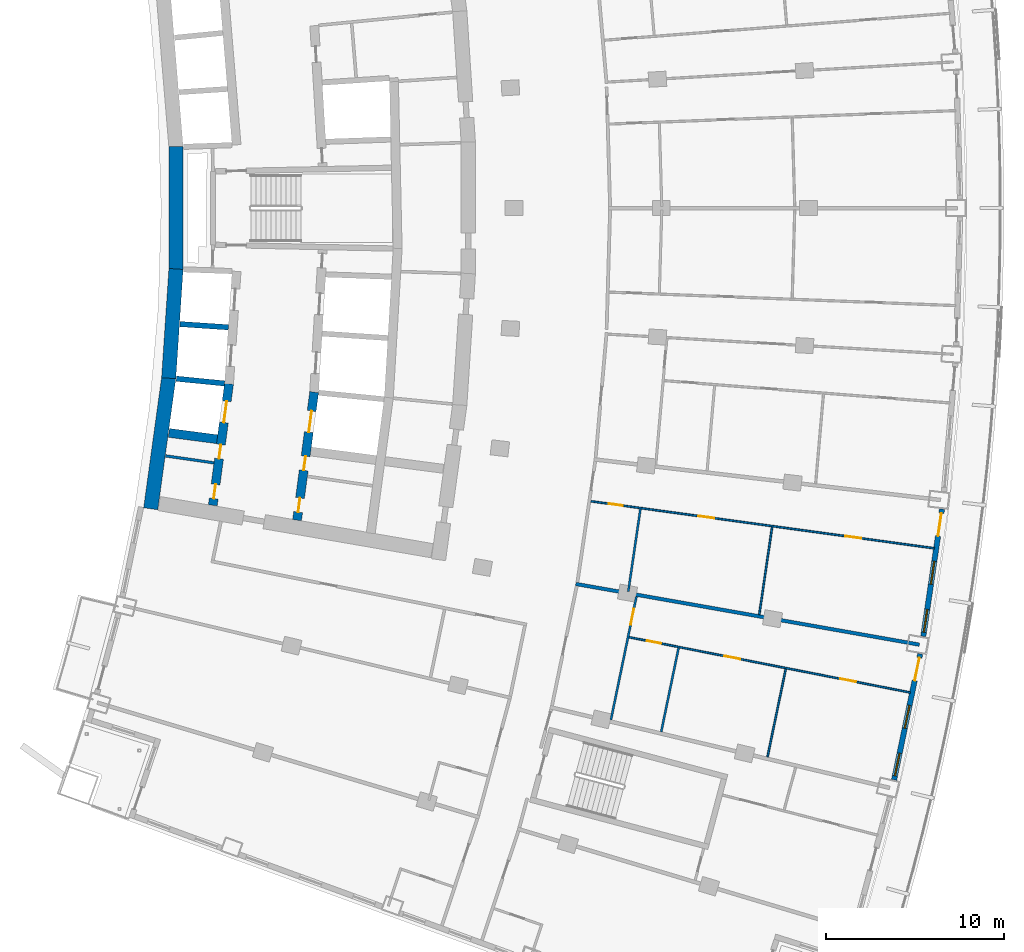
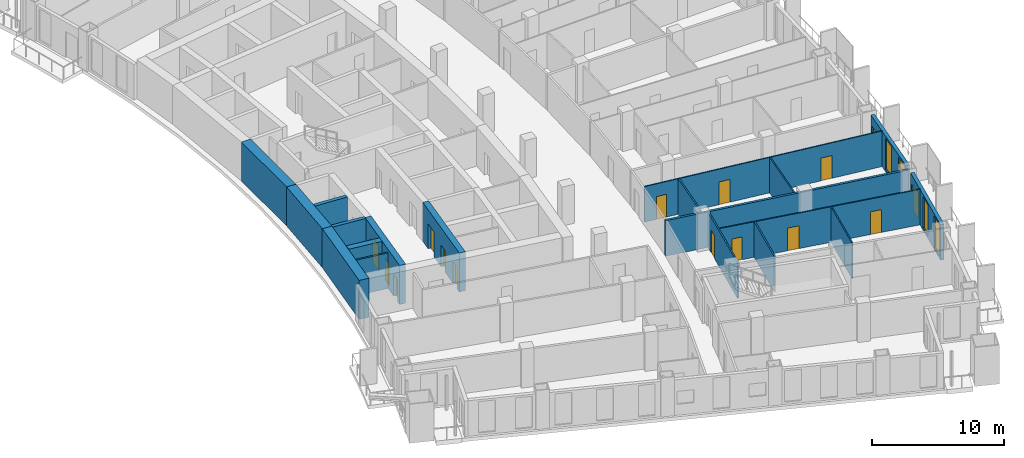
# One storey, part 15 of 25: 19 walls, 15 doors, 4 windows, 19 openings.
"""IFC4 building model written with IfcOpenShell, lengths in metres."""

from ifc_helpers import new_model, si_unit, direction, frame, frame_2d, origin, place, context, subcontext, project, spatial, rectangle, extrude, material, layer, layer_set, type_object, element, fill, save


model = new_model("IFC4")

# Units and contexts
model_context = context("Model", 3, precision=1e-05, world=origin(), true_north=direction((0.0, 1.0)))
body_context = subcontext(model_context, "Body", "Model", "MODEL_VIEW")
ifc_project = project(units=[si_unit("LENGTHUNIT", "METRE"), si_unit("AREAUNIT", "SQUARE_METRE"), si_unit("VOLUMEUNIT", "CUBIC_METRE"), si_unit("PLANEANGLEUNIT", "RADIAN"), si_unit("MASSUNIT", "GRAM", prefix="KILO")], contexts=[model_context])

# Site, building, storey
site_placement = place(None, origin())
site = spatial("IfcSite", under=ifc_project, at=site_placement, CompositionType="ELEMENT")
building_placement = place(site_placement, origin())
building = spatial("IfcBuilding", under=site, at=building_placement, Name="Alderwake Tower", CompositionType="ELEMENT")
storey_placement = place(building_placement, frame((0.0, 0.0, 118.39990234375)))
storey = spatial("IfcBuildingStorey", under=building, at=storey_placement, Name="L29", CompositionType="ELEMENT", Elevation=118.39990234375)

# Walls
ifc_material_1 = material(Name="Gypsum shaft wall system, rated")
ifc_layer_1 = layer(ifc_material_1, 0.14990234375)
ifc_layer_set_1 = layer_set([ifc_layer_1], Name="Core room partition 150")
wall_type_1 = type_object("IfcWallType", Name="Core room partition 150", PredefinedType="PARTITIONING", material=ifc_layer_set_1)
wall_1_placement = place(storey_placement, frame((16.262451171875, 47.096435546875, 0.0), z_axis=(0.0, 0.0, 1.0), x_axis=(0.989725129284, -0.14298310552, 0.0)))
element("IfcWall", 1, at=wall_1_placement, inside=storey, type_object=wall_type_1, Name="CW/L29/PR-150_+0", PredefinedType="PARTITIONING", context=body_context, shape_type="SweptSolid", body=[
    extrude(rectangle(XDim=2.7353515625, YDim=0.14990234375, at=frame_2d((1.36767578125, 0.0))), origin(), (0.0, 0.0, 1.0), 3.280029296875),
])
ifc_material_2 = material(Name="Concrete C70/85", Category="concrete")
ifc_layer_2 = layer(ifc_material_2, 0.800048828125)
ifc_layer_set_2 = layer_set([ifc_layer_2], Name="Core wall outer 800 C70-85")
wall_type_2 = type_object("IfcWallType", Name="Core wall outer 800 C70-85", PredefinedType="SHEAR", material=ifc_layer_set_2)
wall_2_placement = place(storey_placement, frame((15.419921875, 44.12890625, 0.0), z_axis=(0.0, 0.0, 1.0), x_axis=(0.13634256868, 0.990661750531, 0.0)))
element("IfcWall", 2, at=wall_2_placement, inside=storey, type_object=wall_type_2, Name="Core wall CW.042", PredefinedType="SHEAR", context=body_context, shape_type="SweptSolid", body=[
    extrude(rectangle(XDim=7.42578125, YDim=0.800048828125, at=frame_2d((3.712890625, 0.0))), origin(), (0.0, 0.0, 1.0), 3.60009765625),
])
wall_3_placement = place(storey_placement, frame((16.429443359375, 51.45654296875, 0.0), z_axis=(0.0, 0.0, 1.0), x_axis=(0.066885651624, 0.997760647454, 0.0)))
element("IfcWall", 3, at=wall_3_placement, inside=storey, type_object=wall_type_2, Name="Core wall CW.041", PredefinedType="SHEAR", context=body_context, shape_type="SweptSolid", body=[
    extrude(rectangle(XDim=6.14306640625, YDim=0.800048828125, at=frame_2d((3.071533203125, 0.0))), origin(), (0.0, 0.0, 1.0), 3.60009765625),
])
wall_4_placement = place(storey_placement, frame((16.83935546875, 57.558349609375, 0.0), z_axis=(0.0, 0.0, 1.0), x_axis=(0.0, 1.0, 0.0)))
element("IfcWall", 4, at=wall_4_placement, inside=storey, type_object=wall_type_2, Name="Core wall CW.043", PredefinedType="SHEAR", context=body_context, shape_type="SweptSolid", body=[
    extrude(rectangle(XDim=6.886474609375, YDim=0.800048828125, at=frame_2d((3.443359375, 0.0))), origin(), (0.0, 0.0, 1.0), 3.60009765625),
])
ifc_material_3 = material(Name="Concrete C70/85", Category="concrete")
ifc_layer_3 = layer(ifc_material_3, 0.300048828125)
ifc_layer_set_3 = layer_set([ifc_layer_3], Name="Core wall shaft 300 C70-85")
wall_type_3 = type_object("IfcWallType", Name="Core wall shaft 300 C70-85", PredefinedType="SHEAR", material=ifc_layer_set_3)
wall_5_placement = place(storey_placement, frame((16.8583984375, 51.4287109375, 0.0), z_axis=(0.0, 0.0, 1.0), x_axis=(0.995157330456, -0.098294901394, 0.0)))
element("IfcWall", 5, at=wall_5_placement, inside=storey, type_object=wall_type_3, Name="Core wall CW.065", PredefinedType="SHEAR", context=body_context, shape_type="SweptSolid", body=[
    extrude(rectangle(XDim=2.7197265625, YDim=0.300048828125, at=frame_2d((1.35986328125, 0.0))), origin(), (0.0, 0.0, 1.0), 3.60009765625),
])
wall_6_placement = place(storey_placement, frame((17.06396484375, 54.492919921875, 0.0), z_axis=(0.0, 0.0, 1.0), x_axis=(0.997758851023, -0.066912444326, 0.0)))
element("IfcWall", 6, at=wall_6_placement, inside=storey, type_object=wall_type_3, Name="Core wall CW.079", PredefinedType="SHEAR", context=body_context, shape_type="SweptSolid", body=[
    extrude(rectangle(XDim=2.71826171875, YDim=0.300048828125, at=frame_2d((1.359130859375, 0.0))), origin(), (0.0, 0.0, 1.0), 3.60009765625),
])

# Wall, openings, doors
ifc_material_4 = material(Name="Concrete C70/85", Category="concrete")
ifc_layer_4 = layer(ifc_material_4, 0.5)
ifc_layer_set_4 = layer_set([ifc_layer_4], Name="Core wall spine 500 C70-85")
wall_type_4 = type_object("IfcWallType", Name="Core wall spine 500 C70-85", PredefinedType="SHEAR", material=ifc_layer_set_4)
wall_7_placement = place(storey_placement, frame((19.81494140625, 51.145263671875, 0.0), z_axis=(0.0, 0.0, 1.0), x_axis=(-0.132349652161, -0.991203091991, 0.0)))
wall_7 = element("IfcWall", 7, at=wall_7_placement, inside=storey, type_object=wall_type_4, Name="Core wall CW.033", PredefinedType="SHEAR", context=body_context, shape_type="SweptSolid", body=[
    extrude(rectangle(XDim=6.880615234375, YDim=0.5, at=frame_2d((3.4404296875, 0.0))), origin(), (0.0, 0.0, 1.0), 3.60009765625),
])
opening_1_placement = place(wall_7_placement, frame((0.99072265625, 0.0, 0.0)))
opening_1 = element("IfcOpeningElement", 8, at=opening_1_placement, cuts=wall_7, Name="Opening LD-LP1", PredefinedType="OPENING", context=body_context, shape_type="SweptSolid", body=[
    extrude(rectangle(XDim=1.199951171875, YDim=2.300048828125, at=frame_2d((0.60009765625, 1.14990234375))), frame((0.0, 0.260009765625, 0.0), z_axis=(0.0, -1.0, 0.0), x_axis=(1.0, 0.0, 0.0)), (0.0, 0.0, 1.0), 0.52001953125),
])
opening_2_placement = place(wall_7_placement, frame((5.698486328125, 0.0, 0.0)))
opening_2 = element("IfcOpeningElement", 9, at=opening_2_placement, cuts=wall_7, Name="Opening C008", PredefinedType="OPENING", context=body_context, shape_type="SweptSolid", body=[
    extrude(rectangle(XDim=0.800048828125, YDim=2.0, at=frame_2d((0.39990234375, 1.0))), frame((0.0, 0.260009765625, 0.0), z_axis=(0.0, -1.0, 0.0), x_axis=(1.0, 0.0, 0.0)), (0.0, 0.0, 1.0), 0.52001953125),
])
opening_3_placement = place(wall_7_placement, frame((3.444580078125, 0.0, 0.0)))
opening_3 = element("IfcOpeningElement", 10, at=opening_3_placement, cuts=wall_7, Name="Opening C012", PredefinedType="OPENING", context=body_context, shape_type="SweptSolid", body=[
    extrude(rectangle(XDim=0.800048828125, YDim=2.0, at=frame_2d((0.39990234375, 1.0))), frame((0.0, 0.260009765625, 0.0), z_axis=(0.0, -1.0, 0.0), x_axis=(1.0, 0.0, 0.0)), (0.0, 0.0, 1.0), 0.52001953125),
])
ifc_material_5 = material(Name="Stainless steel sliding leaf", Category="steel")
door_type_1 = type_object("IfcDoorType", Name="Lift landing door 1200", OperationType="SLIDING_TO_LEFT", PredefinedType="DOOR", material=ifc_material_5)
door_1_placement = place(opening_1_placement, origin())
door_1 = element("IfcDoor", 11, at=door_1_placement, inside=storey, type_object=door_type_1, Name="Lift landing door LP1", OperationType="SLIDING_TO_LEFT", OverallHeight=2.300048828125, OverallWidth=1.199951171875, PredefinedType="DOOR", context=body_context, shape_type="SweptSolid", body=[
    extrude(rectangle(XDim=1.199951171875, YDim=2.300048828125, at=frame_2d((0.60009765625, 1.14990234375))), frame((0.0, 0.02490234375, 0.0), z_axis=(0.0, -1.0, 0.0), x_axis=(1.0, 0.0, 0.0)), (0.0, 0.0, 1.0), 0.050048828125),
])
fill(opening_1, door_1)
ifc_material_6 = material(Name="Painted steel leaf, rated", Category="steel")
door_type_2 = type_object("IfcDoorType", Name="Riser access door 800", OperationType="SINGLE_SWING_LEFT", PredefinedType="DOOR", material=ifc_material_6)
door_2_placement = place(opening_2_placement, origin())
door_2 = element("IfcDoor", 12, at=door_2_placement, inside=storey, type_object=door_type_2, Name="Riser access door", OperationType="SINGLE_SWING_LEFT", OverallHeight=2.0, OverallWidth=0.800048828125, PredefinedType="DOOR", context=body_context, shape_type="SweptSolid", body=[
    extrude(rectangle(XDim=0.800048828125, YDim=2.0, at=frame_2d((0.39990234375, 1.0))), frame((0.0, 0.02490234375, 0.0), z_axis=(0.0, -1.0, 0.0), x_axis=(1.0, 0.0, 0.0)), (0.0, 0.0, 1.0), 0.050048828125),
])
fill(opening_2, door_2)
door_3_placement = place(opening_3_placement, origin())
door_3 = element("IfcDoor", 13, at=door_3_placement, inside=storey, type_object=door_type_2, Name="Riser access door", OperationType="SINGLE_SWING_RIGHT", OverallHeight=2.0, OverallWidth=0.800048828125, PredefinedType="DOOR", context=body_context, shape_type="SweptSolid", body=[
    extrude(rectangle(XDim=0.800048828125, YDim=2.0, at=frame_2d((0.39990234375, 1.0))), frame((0.0, 0.02490234375, 0.0), z_axis=(0.0, -1.0, 0.0), x_axis=(1.0, 0.0, 0.0)), (0.0, 0.0, 1.0), 0.050048828125),
])
fill(opening_3, door_3)

wall_8_placement = place(storey_placement, frame((23.631103515625, 43.489501953125, 0.0), z_axis=(0.0, 0.0, 1.0), x_axis=(0.132532135635, 0.991178708924, 0.0)))
wall_8 = element("IfcWall", 14, at=wall_8_placement, inside=storey, type_object=wall_type_4, Name="Core wall CW.047", PredefinedType="SHEAR", context=body_context, shape_type="SweptSolid", body=[
    extrude(rectangle(XDim=7.248779296875, YDim=0.5, at=frame_2d((3.62451171875, 0.0))), origin(), (0.0, 0.0, 1.0), 3.60009765625),
])
opening_4_placement = place(wall_8_placement, frame((4.981201171875, 0.0, 0.0)))
opening_4 = element("IfcOpeningElement", 15, at=opening_4_placement, cuts=wall_8, Name="Opening LD-LP4", PredefinedType="OPENING", context=body_context, shape_type="SweptSolid", body=[
    extrude(rectangle(XDim=1.199951171875, YDim=2.300048828125, at=frame_2d((0.60009765625, 1.14990234375))), frame((0.0, 0.260009765625, 0.0), z_axis=(0.0, -1.0, 0.0), x_axis=(1.0, 0.0, 0.0)), (0.0, 0.0, 1.0), 0.52001953125),
])
opening_5_placement = place(wall_8_placement, frame((0.4580078125, 0.0, 0.0)))
opening_5 = element("IfcOpeningElement", 16, at=opening_5_placement, cuts=wall_8, Name="Opening C015", PredefinedType="OPENING", context=body_context, shape_type="SweptSolid", body=[
    extrude(rectangle(XDim=0.800048828125, YDim=2.0, at=frame_2d((0.39990234375, 1.0))), frame((0.0, 0.260009765625, 0.0), z_axis=(0.0, -1.0, 0.0), x_axis=(1.0, 0.0, 0.0)), (0.0, 0.0, 1.0), 0.52001953125),
])
opening_6_placement = place(wall_8_placement, frame((2.819580078125, 0.0, 0.0)))
opening_6 = element("IfcOpeningElement", 17, at=opening_6_placement, cuts=wall_8, Name="Opening C019", PredefinedType="OPENING", context=body_context, shape_type="SweptSolid", body=[
    extrude(rectangle(XDim=0.800048828125, YDim=2.0, at=frame_2d((0.39990234375, 1.0))), frame((0.0, 0.260009765625, 0.0), z_axis=(0.0, -1.0, 0.0), x_axis=(1.0, 0.0, 0.0)), (0.0, 0.0, 1.0), 0.52001953125),
])
door_4_placement = place(opening_4_placement, origin())
door_4 = element("IfcDoor", 18, at=door_4_placement, inside=storey, type_object=door_type_1, Name="Lift landing door LP4", OperationType="SLIDING_TO_LEFT", OverallHeight=2.300048828125, OverallWidth=1.199951171875, PredefinedType="DOOR", context=body_context, shape_type="SweptSolid", body=[
    extrude(rectangle(XDim=1.199951171875, YDim=2.300048828125, at=frame_2d((0.60009765625, 1.14990234375))), frame((0.0, 0.02490234375, 0.0), z_axis=(0.0, -1.0, 0.0), x_axis=(1.0, 0.0, 0.0)), (0.0, 0.0, 1.0), 0.050048828125),
])
fill(opening_4, door_4)
door_5_placement = place(opening_5_placement, origin())
door_5 = element("IfcDoor", 19, at=door_5_placement, inside=storey, type_object=door_type_2, Name="Riser access door", OperationType="SINGLE_SWING_LEFT", OverallHeight=2.0, OverallWidth=0.800048828125, PredefinedType="DOOR", context=body_context, shape_type="SweptSolid", body=[
    extrude(rectangle(XDim=0.800048828125, YDim=2.0, at=frame_2d((0.39990234375, 1.0))), frame((0.0, 0.02490234375, 0.0), z_axis=(0.0, -1.0, 0.0), x_axis=(1.0, 0.0, 0.0)), (0.0, 0.0, 1.0), 0.050048828125),
])
fill(opening_5, door_5)
door_6_placement = place(opening_6_placement, origin())
door_6 = element("IfcDoor", 20, at=door_6_placement, inside=storey, type_object=door_type_2, Name="Riser access door", OperationType="SINGLE_SWING_RIGHT", OverallHeight=2.0, OverallWidth=0.800048828125, PredefinedType="DOOR", context=body_context, shape_type="SweptSolid", body=[
    extrude(rectangle(XDim=0.800048828125, YDim=2.0, at=frame_2d((0.39990234375, 1.0))), frame((0.0, 0.02490234375, 0.0), z_axis=(0.0, -1.0, 0.0), x_axis=(1.0, 0.0, 0.0)), (0.0, 0.0, 1.0), 0.050048828125),
])
fill(opening_6, door_6)

# Wall
wall_9_placement = place(storey_placement, frame((16.43994140625, 48.38623046875, 0.0), z_axis=(0.0, 0.0, 1.0), x_axis=(0.991557472006, -0.129667959452, 0.0)))
element("IfcWall", 21, at=wall_9_placement, inside=storey, type_object=wall_type_4, Name="Core wall CW.067", PredefinedType="SHEAR", context=body_context, shape_type="SweptSolid", body=[
    extrude(rectangle(XDim=2.72998046875, YDim=0.5, at=frame_2d((1.364990234375, 0.0))), origin(), (0.0, 0.0, 1.0), 3.60009765625),
])

# Wall, openings, door, windows
ifc_material_7 = material(Name="Precast concrete C50/60 spandrel panel", Category="concrete")
ifc_layer_5 = layer(ifc_material_7, 0.300048828125)
ifc_layer_set_5 = layer_set([ifc_layer_5], Name="External wall EW1 Precast concrete C50/60 spandrel")
wall_type_5 = type_object("IfcWallType", Name="External wall EW1 Precast concrete C50/60 spandrel", PredefinedType="SOLIDWALL", material=ifc_layer_set_5)
wall_10_placement = place(storey_placement, frame((57.13427734375, 28.9208984375, 0.0), z_axis=(0.0, 0.0, 1.0), x_axis=(0.202759964429, 0.979228470187, 0.0)))
wall_10 = element("IfcWall", 22, at=wall_10_placement, inside=storey, type_object=wall_type_5, Name="External wall 13", PredefinedType="SOLIDWALL", context=body_context, shape_type="SweptSolid", body=[
    extrude(rectangle(XDim=7.21728515625, YDim=0.300048828125, at=frame_2d((3.608642578125, 0.0))), origin(), (0.0, 0.0, 1.0), 3.280029296875),
])
opening_7_placement = place(wall_10_placement, frame((0.22509765625, 0.0, 0.199951171875)))
opening_7 = element("IfcOpeningElement", 23, at=opening_7_placement, cuts=wall_10, Name="Opening W1", PredefinedType="OPENING", context=body_context, shape_type="SweptSolid", body=[
    extrude(rectangle(XDim=1.300048828125, YDim=2.89990234375, at=frame_2d((0.64990234375, 1.449951171875))), frame((0.0, 0.159912109375, 0.0), z_axis=(0.0, -1.0, 0.0), x_axis=(1.0, 0.0, 0.0)), (0.0, 0.0, 1.0), 0.320068359375),
])
opening_8_placement = place(wall_10_placement, frame((2.958740234375, 0.0, 0.199951171875)))
opening_8 = element("IfcOpeningElement", 24, at=opening_8_placement, cuts=wall_10, Name="Opening W1", PredefinedType="OPENING", context=body_context, shape_type="SweptSolid", body=[
    extrude(rectangle(XDim=1.300048828125, YDim=2.89990234375, at=frame_2d((0.64990234375, 1.449951171875))), frame((0.0, 0.159912109375, 0.0), z_axis=(0.0, -1.0, 0.0), x_axis=(1.0, 0.0, 0.0)), (0.0, 0.0, 1.0), 0.320068359375),
])
opening_9_placement = place(wall_10_placement, frame((5.692138671875, 0.0, 0.0)))
opening_9 = element("IfcOpeningElement", 25, at=opening_9_placement, cuts=wall_10, Name="Opening D04", PredefinedType="OPENING", context=body_context, shape_type="SweptSolid", body=[
    extrude(rectangle(XDim=1.300048828125, YDim=2.39990234375, at=frame_2d((0.64990234375, 1.199951171875))), frame((0.0, 0.159912109375, 0.0), z_axis=(0.0, -1.0, 0.0), x_axis=(1.0, 0.0, 0.0)), (0.0, 0.0, 1.0), 0.320068359375),
])
ifc_material_8 = material(Name="Bronze tinted glass in aluminium frame", Category="aluminium")
door_type_3 = type_object("IfcDoorType", Name="Balcony door BD sliding", OperationType="SLIDING_TO_LEFT", PredefinedType="DOOR", material=ifc_material_8)
door_7_placement = place(opening_9_placement, origin())
door_7 = element("IfcDoor", 26, at=door_7_placement, inside=storey, type_object=door_type_3, Name="Door D04", OperationType="SLIDING_TO_LEFT", OverallHeight=2.39990234375, OverallWidth=1.300048828125, PredefinedType="DOOR", context=body_context, shape_type="SweptSolid", body=[
    extrude(rectangle(XDim=1.300048828125, YDim=2.39990234375, at=frame_2d((0.64990234375, 1.199951171875))), frame((0.0, 0.02490234375, 0.0), z_axis=(0.0, -1.0, 0.0), x_axis=(1.0, 0.0, 0.0)), (0.0, 0.0, 1.0), 0.050048828125),
])
fill(opening_9, door_7)
ifc_material_9 = material(Name="Bronze tinted glass in aluminium frame", Category="aluminium")
window_type = type_object("IfcWindowType", Name="Window W1 tall fixed and vent", PartitioningType="DOUBLE_PANEL_VERTICAL", PredefinedType="WINDOW", material=ifc_material_9)
window_1_placement = place(opening_7_placement, origin())
window_1 = element("IfcWindow", 27, at=window_1_placement, inside=storey, type_object=window_type, Name="Window W1 tall fixed and vent", OverallHeight=2.89990234375, OverallWidth=1.300048828125, PartitioningType="DOUBLE_PANEL_VERTICAL", PredefinedType="WINDOW", context=body_context, shape_type="SweptSolid", body=[
    extrude(rectangle(XDim=1.300048828125, YDim=2.89990234375, at=frame_2d((0.64990234375, 1.449951171875))), frame((0.0, 0.030029296875, 0.0), z_axis=(0.0, -1.0, 0.0), x_axis=(1.0, 0.0, 0.0)), (0.0, 0.0, 1.0), 0.06005859375),
])
fill(opening_7, window_1)
window_2_placement = place(opening_8_placement, origin())
window_2 = element("IfcWindow", 28, at=window_2_placement, inside=storey, type_object=window_type, Name="Window W1 tall fixed and vent", OverallHeight=2.89990234375, OverallWidth=1.300048828125, PartitioningType="DOUBLE_PANEL_VERTICAL", PredefinedType="WINDOW", context=body_context, shape_type="SweptSolid", body=[
    extrude(rectangle(XDim=1.300048828125, YDim=2.89990234375, at=frame_2d((0.64990234375, 1.449951171875))), frame((0.0, 0.030029296875, 0.0), z_axis=(0.0, -1.0, 0.0), x_axis=(1.0, 0.0, 0.0)), (0.0, 0.0, 1.0), 0.06005859375),
])
fill(opening_8, window_2)

wall_11_placement = place(storey_placement, frame((58.771240234375, 36.970458984375, 0.0), z_axis=(0.0, 0.0, 1.0), x_axis=(0.145322588421, 0.989384326384, 0.0)))
wall_11 = element("IfcWall", 29, at=wall_11_placement, inside=storey, type_object=wall_type_5, Name="External wall 14", PredefinedType="SOLIDWALL", context=body_context, shape_type="SweptSolid", body=[
    extrude(rectangle(XDim=7.21728515625, YDim=0.300048828125, at=frame_2d((3.608642578125, 0.0))), origin(), (0.0, 0.0, 1.0), 3.280029296875),
])
opening_10_placement = place(wall_11_placement, frame((0.22509765625, 0.0, 0.199951171875)))
opening_10 = element("IfcOpeningElement", 30, at=opening_10_placement, cuts=wall_11, Name="Opening W1", PredefinedType="OPENING", context=body_context, shape_type="SweptSolid", body=[
    extrude(rectangle(XDim=1.300048828125, YDim=2.89990234375, at=frame_2d((0.64990234375, 1.449951171875))), frame((0.0, 0.159912109375, 0.0), z_axis=(0.0, -1.0, 0.0), x_axis=(1.0, 0.0, 0.0)), (0.0, 0.0, 1.0), 0.320068359375),
])
opening_11_placement = place(wall_11_placement, frame((2.958740234375, 0.0, 0.199951171875)))
opening_11 = element("IfcOpeningElement", 31, at=opening_11_placement, cuts=wall_11, Name="Opening W1", PredefinedType="OPENING", context=body_context, shape_type="SweptSolid", body=[
    extrude(rectangle(XDim=1.300048828125, YDim=2.89990234375, at=frame_2d((0.64990234375, 1.449951171875))), frame((0.0, 0.159912109375, 0.0), z_axis=(0.0, -1.0, 0.0), x_axis=(1.0, 0.0, 0.0)), (0.0, 0.0, 1.0), 0.320068359375),
])
opening_12_placement = place(wall_11_placement, frame((5.692138671875, 0.0, 0.0)))
opening_12 = element("IfcOpeningElement", 32, at=opening_12_placement, cuts=wall_11, Name="Opening D05", PredefinedType="OPENING", context=body_context, shape_type="SweptSolid", body=[
    extrude(rectangle(XDim=1.300048828125, YDim=2.39990234375, at=frame_2d((0.64990234375, 1.199951171875))), frame((0.0, 0.159912109375, 0.0), z_axis=(0.0, -1.0, 0.0), x_axis=(1.0, 0.0, 0.0)), (0.0, 0.0, 1.0), 0.320068359375),
])
door_8_placement = place(opening_12_placement, origin())
door_8 = element("IfcDoor", 33, at=door_8_placement, inside=storey, type_object=door_type_3, Name="Door D05", OperationType="SLIDING_TO_LEFT", OverallHeight=2.39990234375, OverallWidth=1.300048828125, PredefinedType="DOOR", context=body_context, shape_type="SweptSolid", body=[
    extrude(rectangle(XDim=1.300048828125, YDim=2.39990234375, at=frame_2d((0.64990234375, 1.199951171875))), frame((0.0, 0.02490234375, 0.0), z_axis=(0.0, -1.0, 0.0), x_axis=(1.0, 0.0, 0.0)), (0.0, 0.0, 1.0), 0.050048828125),
])
fill(opening_12, door_8)
window_3_placement = place(opening_10_placement, origin())
window_3 = element("IfcWindow", 34, at=window_3_placement, inside=storey, type_object=window_type, Name="Window W1 tall fixed and vent", OverallHeight=2.89990234375, OverallWidth=1.300048828125, PartitioningType="DOUBLE_PANEL_VERTICAL", PredefinedType="WINDOW", context=body_context, shape_type="SweptSolid", body=[
    extrude(rectangle(XDim=1.300048828125, YDim=2.89990234375, at=frame_2d((0.64990234375, 1.449951171875))), frame((0.0, 0.030029296875, 0.0), z_axis=(0.0, -1.0, 0.0), x_axis=(1.0, 0.0, 0.0)), (0.0, 0.0, 1.0), 0.06005859375),
])
fill(opening_10, window_3)
window_4_placement = place(opening_11_placement, origin())
window_4 = element("IfcWindow", 35, at=window_4_placement, inside=storey, type_object=window_type, Name="Window W1 tall fixed and vent", OverallHeight=2.89990234375, OverallWidth=1.300048828125, PartitioningType="DOUBLE_PANEL_VERTICAL", PredefinedType="WINDOW", context=body_context, shape_type="SweptSolid", body=[
    extrude(rectangle(XDim=1.300048828125, YDim=2.89990234375, at=frame_2d((0.64990234375, 1.449951171875))), frame((0.0, 0.030029296875, 0.0), z_axis=(0.0, -1.0, 0.0), x_axis=(1.0, 0.0, 0.0)), (0.0, 0.0, 1.0), 0.06005859375),
])
fill(opening_11, window_4)

# Wall
ifc_material_10 = material(Name="Dense block masonry wall", Category="masonry")
ifc_layer_6 = layer(ifc_material_10, 0.199951171875)
ifc_layer_set_6 = layer_set([ifc_layer_6], Name="Party wall 200")
wall_type_6 = type_object("IfcWallType", Name="Party wall 200", PredefinedType="SOLIDWALL", material=ifc_layer_set_6)
wall_12_placement = place(storey_placement, frame((58.551025390625, 36.50390625, 0.0), z_axis=(0.0, 0.0, 1.0), x_axis=(-0.98474575315, 0.173999430034, 0.0)))
element("IfcWall", 36, at=wall_12_placement, inside=storey, type_object=wall_type_6, Name="WL/L29/W10", PredefinedType="SOLIDWALL", context=body_context, shape_type="SweptSolid", body=[
    extrude(rectangle(XDim=19.580322265625, YDim=0.199951171875, at=frame_2d((9.7900390625, 0.0))), origin(), (0.0, 0.0, 1.0), 3.280029296875),
])

# Wall, openings, doors
ifc_material_11 = material(Name="Gypsum board on metal studs")
ifc_layer_7 = layer(ifc_material_11, 0.10009765625)
ifc_layer_set_7 = layer_set([ifc_layer_7], Name="Unit partition 100")
wall_type_7 = type_object("IfcWallType", Name="Unit partition 100", PredefinedType="PARTITIONING", material=ifc_layer_set_7)
wall_13_placement = place(storey_placement, frame((59.39404296875, 41.909912109375, 0.0), z_axis=(0.0, 0.0, 1.0), x_axis=(-0.990747071899, 0.135721183029, 0.0)))
wall_13 = element("IfcWall", 37, at=wall_13_placement, inside=storey, type_object=wall_type_7, Name="WL/L29/W69", PredefinedType="PARTITIONING", context=body_context, shape_type="SweptSolid", body=[
    extrude(rectangle(XDim=19.4599609375, YDim=0.10009765625, at=frame_2d((9.72998046875, 0.0))), origin(), (0.0, 0.0, 1.0), 3.280029296875),
])
opening_13_placement = place(wall_13_placement, frame((12.46240234375, 0.0, 0.0)))
opening_13 = element("IfcOpeningElement", 38, at=opening_13_placement, cuts=wall_13, Name="Opening R08-U06.1", PredefinedType="OPENING", context=body_context, shape_type="SweptSolid", body=[
    extrude(rectangle(XDim=0.89990234375, YDim=2.10009765625, at=frame_2d((0.449951171875, 1.050048828125))), frame((0.0, 0.06005859375, 0.0), z_axis=(0.0, -1.0, 0.0), x_axis=(1.0, 0.0, 0.0)), (0.0, 0.0, 1.0), 0.1201171875),
])
opening_14_placement = place(wall_13_placement, frame((17.65087890625, 0.0, 0.0)))
opening_14 = element("IfcOpeningElement", 39, at=opening_14_placement, cuts=wall_13, Name="Opening R08-U06.3", PredefinedType="OPENING", context=body_context, shape_type="SweptSolid", body=[
    extrude(rectangle(XDim=0.800048828125, YDim=2.10009765625, at=frame_2d((0.39990234375, 1.050048828125))), frame((0.0, 0.06005859375, 0.0), z_axis=(0.0, -1.0, 0.0), x_axis=(1.0, 0.0, 0.0)), (0.0, 0.0, 1.0), 0.1201171875),
])
opening_15_placement = place(wall_13_placement, frame((4.141357421875, 0.0, 0.0)))
opening_15 = element("IfcOpeningElement", 40, at=opening_15_placement, cuts=wall_13, Name="Opening R08-U06.4", PredefinedType="OPENING", context=body_context, shape_type="SweptSolid", body=[
    extrude(rectangle(XDim=0.89990234375, YDim=2.10009765625, at=frame_2d((0.449951171875, 1.050048828125))), frame((0.0, 0.06005859375, 0.0), z_axis=(0.0, -1.0, 0.0), x_axis=(1.0, 0.0, 0.0)), (0.0, 0.0, 1.0), 0.1201171875),
])
ifc_material_12 = material(Name="Painted timber leaf", Category="wood")
door_type_4 = type_object("IfcDoorType", Name="Bathroom door 800", OperationType="SINGLE_SWING_LEFT", PredefinedType="DOOR", material=ifc_material_12)
door_9_placement = place(opening_14_placement, origin())
door_9 = element("IfcDoor", 41, at=door_9_placement, inside=storey, type_object=door_type_4, Name="DR/L29/U06.3", OperationType="SINGLE_SWING_LEFT", OverallHeight=2.10009765625, OverallWidth=0.800048828125, PredefinedType="DOOR", context=body_context, shape_type="SweptSolid", body=[
    extrude(rectangle(XDim=0.800048828125, YDim=2.10009765625, at=frame_2d((0.39990234375, 1.050048828125))), frame((0.0, 0.02490234375, 0.0), z_axis=(0.0, -1.0, 0.0), x_axis=(1.0, 0.0, 0.0)), (0.0, 0.0, 1.0), 0.050048828125),
])
fill(opening_14, door_9)
ifc_material_13 = material(Name="Painted timber leaf", Category="wood")
door_type_5 = type_object("IfcDoorType", Name="Room door 900", OperationType="SINGLE_SWING_LEFT", PredefinedType="DOOR", material=ifc_material_13)
door_10_placement = place(opening_13_placement, origin())
door_10 = element("IfcDoor", 42, at=door_10_placement, inside=storey, type_object=door_type_5, Name="DR/L29/U06.1", OperationType="SINGLE_SWING_LEFT", OverallHeight=2.10009765625, OverallWidth=0.89990234375, PredefinedType="DOOR", context=body_context, shape_type="SweptSolid", body=[
    extrude(rectangle(XDim=0.89990234375, YDim=2.10009765625, at=frame_2d((0.449951171875, 1.050048828125))), frame((0.0, 0.02490234375, 0.0), z_axis=(0.0, -1.0, 0.0), x_axis=(1.0, 0.0, 0.0)), (0.0, 0.0, 1.0), 0.050048828125),
])
fill(opening_13, door_10)
door_11_placement = place(opening_15_placement, origin())
door_11 = element("IfcDoor", 43, at=door_11_placement, inside=storey, type_object=door_type_5, Name="DR/L29/U06.4", OperationType="SINGLE_SWING_LEFT", OverallHeight=2.10009765625, OverallWidth=0.89990234375, PredefinedType="DOOR", context=body_context, shape_type="SweptSolid", body=[
    extrude(rectangle(XDim=0.89990234375, YDim=2.10009765625, at=frame_2d((0.449951171875, 1.050048828125))), frame((0.0, 0.02490234375, 0.0), z_axis=(0.0, -1.0, 0.0), x_axis=(1.0, 0.0, 0.0)), (0.0, 0.0, 1.0), 0.050048828125),
])
fill(opening_15, door_11)

wall_14_placement = place(storey_placement, frame((58.0439453125, 33.81591796875, 0.0), z_axis=(0.0, 0.0, 1.0), x_axis=(-0.981175785538, 0.193116746747, 0.0)))
wall_14 = element("IfcWall", 44, at=wall_14_placement, inside=storey, type_object=wall_type_7, Name="WL/L29/W74", PredefinedType="PARTITIONING", context=body_context, shape_type="SweptSolid", body=[
    extrude(rectangle(XDim=16.080810546875, YDim=0.10009765625, at=frame_2d((8.04052734375, 0.0))), origin(), (0.0, 0.0, 1.0), 3.280029296875),
])
opening_16_placement = place(wall_14_placement, frame((9.72900390625, 0.0, 0.0)))
opening_16 = element("IfcOpeningElement", 45, at=opening_16_placement, cuts=wall_14, Name="Opening R08-U05.1", PredefinedType="OPENING", context=body_context, shape_type="SweptSolid", body=[
    extrude(rectangle(XDim=0.89990234375, YDim=2.10009765625, at=frame_2d((0.449951171875, 1.050048828125))), frame((0.0, 0.06005859375, 0.0), z_axis=(0.0, -1.0, 0.0), x_axis=(1.0, 0.0, 0.0)), (0.0, 0.0, 1.0), 0.1201171875),
])
opening_17_placement = place(wall_14_placement, frame((14.26220703125, 0.0, 0.0)))
opening_17 = element("IfcOpeningElement", 46, at=opening_17_placement, cuts=wall_14, Name="Opening R08-U05.4", PredefinedType="OPENING", context=body_context, shape_type="SweptSolid", body=[
    extrude(rectangle(XDim=0.800048828125, YDim=2.10009765625, at=frame_2d((0.39990234375, 1.050048828125))), frame((0.0, 0.06005859375, 0.0), z_axis=(0.0, -1.0, 0.0), x_axis=(1.0, 0.0, 0.0)), (0.0, 0.0, 1.0), 0.1201171875),
])
opening_18_placement = place(wall_14_placement, frame((3.107421875, 0.0, 0.0)))
opening_18 = element("IfcOpeningElement", 47, at=opening_18_placement, cuts=wall_14, Name="Opening R08-U05.5", PredefinedType="OPENING", context=body_context, shape_type="SweptSolid", body=[
    extrude(rectangle(XDim=0.89990234375, YDim=2.10009765625, at=frame_2d((0.449951171875, 1.050048828125))), frame((0.0, 0.06005859375, 0.0), z_axis=(0.0, -1.0, 0.0), x_axis=(1.0, 0.0, 0.0)), (0.0, 0.0, 1.0), 0.1201171875),
])
door_12_placement = place(opening_17_placement, origin())
door_12 = element("IfcDoor", 48, at=door_12_placement, inside=storey, type_object=door_type_4, Name="DR/L29/U05.4", OperationType="SINGLE_SWING_LEFT", OverallHeight=2.10009765625, OverallWidth=0.800048828125, PredefinedType="DOOR", context=body_context, shape_type="SweptSolid", body=[
    extrude(rectangle(XDim=0.800048828125, YDim=2.10009765625, at=frame_2d((0.39990234375, 1.050048828125))), frame((0.0, 0.02490234375, 0.0), z_axis=(0.0, -1.0, 0.0), x_axis=(1.0, 0.0, 0.0)), (0.0, 0.0, 1.0), 0.050048828125),
])
fill(opening_17, door_12)
door_13_placement = place(opening_16_placement, origin())
door_13 = element("IfcDoor", 49, at=door_13_placement, inside=storey, type_object=door_type_5, Name="DR/L29/U05.1", OperationType="SINGLE_SWING_LEFT", OverallHeight=2.10009765625, OverallWidth=0.89990234375, PredefinedType="DOOR", context=body_context, shape_type="SweptSolid", body=[
    extrude(rectangle(XDim=0.89990234375, YDim=2.10009765625, at=frame_2d((0.449951171875, 1.050048828125))), frame((0.0, 0.02490234375, 0.0), z_axis=(0.0, -1.0, 0.0), x_axis=(1.0, 0.0, 0.0)), (0.0, 0.0, 1.0), 0.050048828125),
])
fill(opening_16, door_13)
door_14_placement = place(opening_18_placement, origin())
door_14 = element("IfcDoor", 50, at=door_14_placement, inside=storey, type_object=door_type_5, Name="DR/L29/U05.5", OperationType="SINGLE_SWING_LEFT", OverallHeight=2.10009765625, OverallWidth=0.89990234375, PredefinedType="DOOR", context=body_context, shape_type="SweptSolid", body=[
    extrude(rectangle(XDim=0.89990234375, YDim=2.10009765625, at=frame_2d((0.449951171875, 1.050048828125))), frame((0.0, 0.02490234375, 0.0), z_axis=(0.0, -1.0, 0.0), x_axis=(1.0, 0.0, 0.0)), (0.0, 0.0, 1.0), 0.050048828125),
])
fill(opening_18, door_14)

# Walls
wall_15_placement = place(storey_placement, frame((49.568603515625, 38.193115234375, 0.0), z_axis=(0.0, 0.0, 1.0), x_axis=(0.144869634363, 0.989450751195, 0.0)))
element("IfcWall", 51, at=wall_15_placement, inside=storey, type_object=wall_type_7, Name="WL/L29/W78", PredefinedType="PARTITIONING", context=body_context, shape_type="SweptSolid", body=[
    extrude(rectangle(XDim=4.96484375, YDim=0.10009765625, at=frame_2d((2.482421875, 0.0))), origin(), (0.0, 0.0, 1.0), 3.280029296875),
])
wall_16_placement = place(storey_placement, frame((50.0302734375, 30.199951171875, 0.0), z_axis=(0.0, 0.0, 1.0), x_axis=(0.202680800092, 0.979244858692, 0.0)))
element("IfcWall", 52, at=wall_16_placement, inside=storey, type_object=wall_type_7, Name="WL/L29/W80", PredefinedType="PARTITIONING", context=body_context, shape_type="SweptSolid", body=[
    extrude(rectangle(XDim=5.0458984375, YDim=0.10009765625, at=frame_2d((2.52294921875, 0.0))), origin(), (0.0, 0.0, 1.0), 3.280029296875),
])

# Wall, opening, door
ifc_material_14 = material(Name="Moisture resistant gypsum board on metal studs")
ifc_layer_8 = layer(ifc_material_14, 0.1201171875)
ifc_layer_set_8 = layer_set([ifc_layer_8], Name="Wet room partition 120")
wall_type_8 = type_object("IfcWallType", Name="Wet room partition 120", PredefinedType="PARTITIONING", material=ifc_layer_set_8)
wall_17_placement = place(storey_placement, frame((42.67578125, 39.2080078125, 0.0), z_axis=(0.0, 0.0, 1.0), x_axis=(-0.202695854643, -0.979241742631, 0.0)))
wall_17 = element("IfcWall", 53, at=wall_17_placement, inside=storey, type_object=wall_type_8, Name="WL/L29/W54", PredefinedType="PARTITIONING", context=body_context, shape_type="SweptSolid", body=[
    extrude(rectangle(XDim=7.066650390625, YDim=0.1201171875, at=frame_2d((3.533203125, 0.0))), origin(), (0.0, 0.0, 1.0), 3.280029296875),
])
opening_19_placement = place(wall_17_placement, frame((0.7109375, 0.0, 0.0)))
opening_19 = element("IfcOpeningElement", 54, at=opening_19_placement, cuts=wall_17, Name="Opening R08-U05.3", PredefinedType="OPENING", context=body_context, shape_type="SweptSolid", body=[
    extrude(rectangle(XDim=0.89990234375, YDim=2.10009765625, at=frame_2d((0.449951171875, 1.050048828125))), frame((0.0, 0.070068359375, 0.0), z_axis=(0.0, -1.0, 0.0), x_axis=(1.0, 0.0, 0.0)), (0.0, 0.0, 1.0), 0.14013671875),
])
door_15_placement = place(opening_19_placement, origin())
door_15 = element("IfcDoor", 55, at=door_15_placement, inside=storey, type_object=door_type_5, Name="DR/L29/U05.3", OperationType="SINGLE_SWING_LEFT", OverallHeight=2.10009765625, OverallWidth=0.89990234375, PredefinedType="DOOR", context=body_context, shape_type="SweptSolid", body=[
    extrude(rectangle(XDim=0.89990234375, YDim=2.10009765625, at=frame_2d((0.449951171875, 1.050048828125))), frame((0.0, 0.02490234375, 0.0), z_axis=(0.0, -1.0, 0.0), x_axis=(1.0, 0.0, 0.0)), (0.0, 0.0, 1.0), 0.050048828125),
])
fill(opening_19, door_15)

# Walls
wall_18_placement = place(storey_placement, frame((42.218505859375, 39.491943359375, 0.0), z_axis=(0.0, 0.0, 1.0), x_axis=(0.145515042, 0.989356039326, 0.0)))
element("IfcWall", 56, at=wall_18_placement, inside=storey, type_object=wall_type_8, Name="WL/L29/W55", PredefinedType="PARTITIONING", context=body_context, shape_type="SweptSolid", body=[
    extrude(rectangle(XDim=4.67431640625, YDim=0.1201171875, at=frame_2d((2.337158203125, 0.0))), origin(), (0.0, 0.0, 1.0), 3.280029296875),
])
wall_19_placement = place(storey_placement, frame((44.06640625, 31.615966796875, 0.0), z_axis=(0.0, 0.0, 1.0), x_axis=(0.202632459684, 0.979254862782, 0.0)))
element("IfcWall", 57, at=wall_19_placement, inside=storey, type_object=wall_type_8, Name="WL/L29/W61", PredefinedType="PARTITIONING", context=body_context, shape_type="SweptSolid", body=[
    extrude(rectangle(XDim=4.809814453125, YDim=0.1201171875, at=frame_2d((2.40478515625, 0.0))), origin(), (0.0, 0.0, 1.0), 3.280029296875),
])

save(model, "model.ifc")
